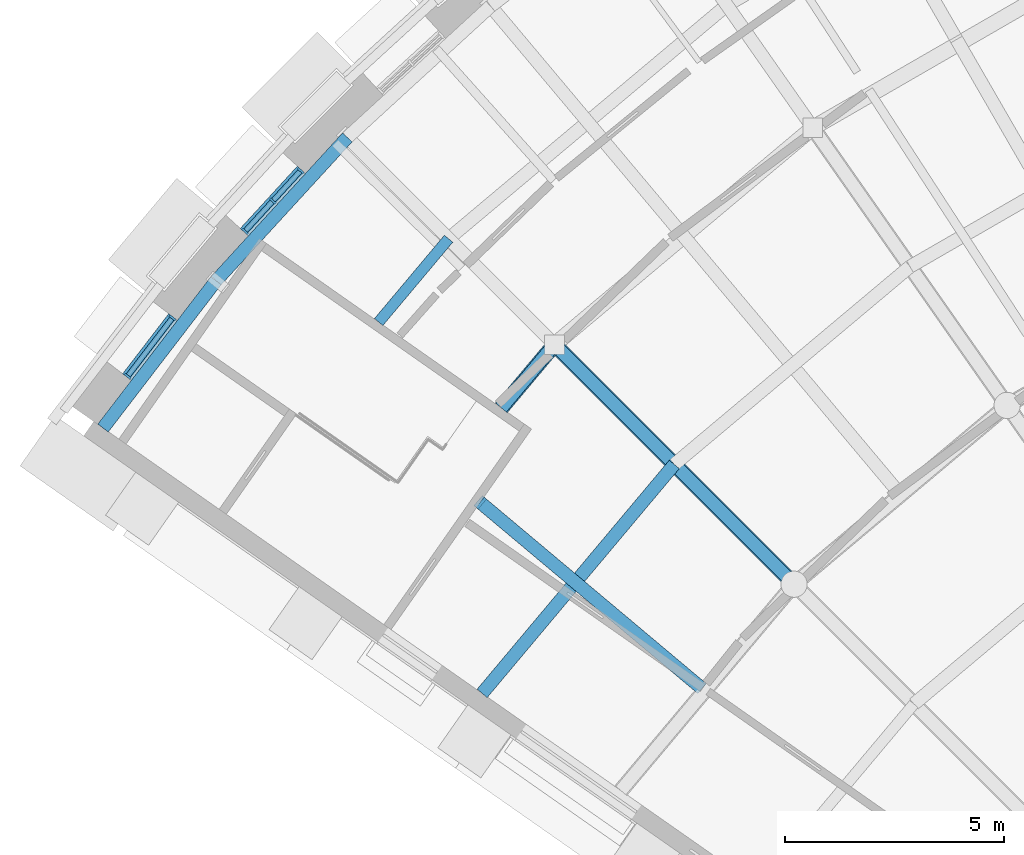
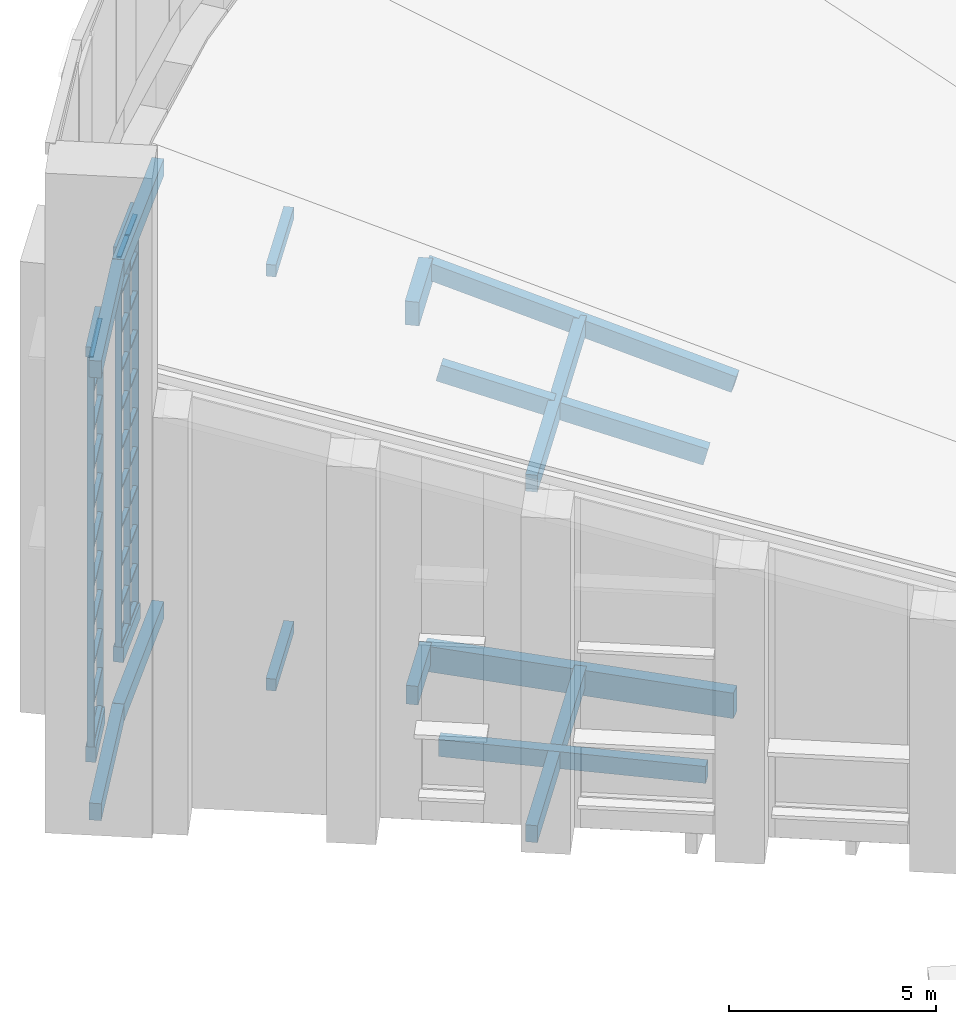
# One storey, part 22 of 82: 38 members, 18 beams, 2 elements without a shape of their own.
"""IFC4 building model written with IfcOpenShell, lengths in metres."""

from ifc_helpers import new_model, si_unit, direction, frame, origin, origin_2d, place, context, subcontext, project, spatial, rectangle, extrude, material, layer, layer_set, material_profile, profile_set, type_object, element, aggregate, save


model = new_model("IFC4")

# Units and contexts
model_context = context("Model", 3, precision=1e-05, world=origin(), true_north=direction((0.0, 1.0)))
body_context = subcontext(model_context, "Body", "Model", "MODEL_VIEW")
ifc_project = project(units=[si_unit("LENGTHUNIT", "METRE"), si_unit("AREAUNIT", "SQUARE_METRE"), si_unit("VOLUMEUNIT", "CUBIC_METRE"), si_unit("PLANEANGLEUNIT", "RADIAN"), si_unit("MASSUNIT", "GRAM", prefix="KILO")], contexts=[model_context])

# Site, building, storey
site_placement = place(None, origin())
site = spatial("IfcSite", under=ifc_project, at=site_placement, CompositionType="ELEMENT")
building_placement = place(site_placement, origin())
building = spatial("IfcBuilding", under=site, at=building_placement, Name="Volute Hill Aquarium", CompositionType="ELEMENT")
storey_placement = place(building_placement, frame((0.0, 0.0, 13.800048828125)))
storey = spatial("IfcBuildingStorey", under=building, at=storey_placement, Name="L04", CompositionType="ELEMENT", Elevation=13.800048828125)

# Beams
ifc_material_1 = material(Name="Concrete C35/45", Category="concrete")
ifc_material_profile_1 = material_profile(ifc_material_1, rectangle(XDim=0.300048828125, YDim=0.550048828125, at=origin_2d()), Name="RC beam 300x550")
ifc_profile_set_1 = profile_set([ifc_material_profile_1], Name="Concrete C35/45")
beam_type_1 = type_object("IfcBeamType", Name="Beam 300x550 C35/45", PredefinedType="BEAM", material=ifc_profile_set_1)
beam_1_placement = place(storey_placement, frame((-31.28955078125, 31.28955078125, -0.594970703125), z_axis=(-0.642771154276, -0.766058250547, 0.0), x_axis=(0.766058250547, -0.642771154276, 0.0)))
element("IfcBeam", 1, at=beam_1_placement, inside=storey, type_object=beam_type_1, Name="bm/S6/L04/ring3.31", PredefinedType="BEAM", context=body_context, shape_type="SweptSolid", body=[
    extrude(rectangle(XDim=0.300048828125, YDim=0.550048828125, at=origin_2d()), origin(), (0.0, 0.0, 1.0), 1.89111328125),
])
ifc_material_2 = material(Name="Concrete C35/45", Category="concrete")
ifc_material_profile_2 = material_profile(ifc_material_2, rectangle(XDim=0.35009765625, YDim=0.699951171875, at=origin_2d()), Name="RC beam 350x700")
ifc_profile_set_2 = profile_set([ifc_material_profile_2], Name="Concrete C35/45")
beam_type_2 = type_object("IfcBeamType", Name="Beam 350x700 C35/45", PredefinedType="BEAM", material=ifc_profile_set_2)
beam_2_placement = place(storey_placement, frame((-31.28955078125, 31.28955078125, 10.6689453125), z_axis=(-0.642771154276, -0.766058250547, 0.0), x_axis=(0.766058250547, -0.642771154276, 0.0)))
element("IfcBeam", 2, at=beam_2_placement, inside=storey, type_object=beam_type_2, Name="rb/S6/L04/ring3.31", PredefinedType="BEAM", context=body_context, shape_type="SweptSolid", body=[
    extrude(rectangle(XDim=0.35009765625, YDim=0.699951171875, at=origin_2d()), origin(), (0.0, 0.0, 1.0), 1.89111328125),
])
ifc_material_3 = material(Name="Concrete C35/45", Category="concrete")
ifc_material_profile_3 = material_profile(ifc_material_3, rectangle(XDim=0.35009765625, YDim=0.75, at=origin_2d()), Name="RC beam 350x750")
ifc_profile_set_3 = profile_set([ifc_material_profile_3], Name="Concrete C35/45")
beam_type_3 = type_object("IfcBeamType", Name="Beam 350x750 C35/45", PredefinedType="BEAM", material=ifc_profile_set_3)
beam_3_placement = place(storey_placement, frame((-25.809326171875, 25.809326171875, -0.695068359375), z_axis=(-0.707106781187, 0.707106781187, 0.0), x_axis=(-0.707106781187, -0.707106781187, 0.0)))
element("IfcBeam", 3, at=beam_3_placement, inside=storey, type_object=beam_type_3, Name="bm/S6/L04/rad4.15", PredefinedType="BEAM", context=body_context, shape_type="SweptSolid", body=[
    extrude(rectangle(XDim=0.35009765625, YDim=0.75, at=origin_2d()), origin(), (0.0, 0.0, 1.0), 7.750244140625),
])

# Curtain wall, members
ifc_material_4 = material(Name="Aluminium", Category="aluminium")
ifc_layer_1 = layer(ifc_material_4, 0.25)
ifc_layer_set_1 = layer_set([ifc_layer_1], Name="Curtain wall niche S6 module 967")
curtain_wall_type_1 = type_object("IfcCurtainWallType", Name="Curtain wall niche S6 module 967", PredefinedType="NOTDEFINED", material=ifc_layer_set_1)
curtain_wall_1_placement = place(storey_placement, origin())
curtain_wall_1 = element("IfcCurtainWall", 4, at=curtain_wall_1_placement, inside=storey, type_object=curtain_wall_type_1, Name="Curtain wall CW S6 L04 9", PredefinedType="NOTDEFINED")
ifc_material_5 = material(Name="Aluminium", Category="aluminium")
ifc_material_profile_4 = material_profile(ifc_material_5, rectangle(XDim=0.169921875, YDim=0.050048828125, at=origin_2d()), Name="Curtain wall mullion S6 50x170")
ifc_profile_set_4 = profile_set([ifc_material_profile_4], Name="Aluminium")
member_type_1 = type_object("IfcMemberType", Name="Curtain wall mullion S6 50x170", PredefinedType="MULLION", material=ifc_profile_set_4)
member_1_placement = place(storey_placement, frame((-37.094482421875, 35.268310546875, 0.449951171875), z_axis=(0.0, 0.0, 1.0), x_axis=(0.737284850624, -0.675582007635, 0.0)))
member_1 = element("IfcMember", 5, at=member_1_placement, type_object=member_type_1, Name="CW mullion 1", PredefinedType="MULLION", context=body_context, shape_type="SweptSolid", body=[
    extrude(rectangle(XDim=0.169921875, YDim=0.050048828125, at=origin_2d()), origin(), (0.0, 0.0, 1.0), 11.491455078125),
])
member_2_placement = place(storey_placement, frame((-37.73095703125, 34.573974609375, 0.449951171875), z_axis=(0.0, 0.0, 1.0), x_axis=(0.737284850624, -0.675582007635, 0.0)))
member_2 = element("IfcMember", 6, at=member_2_placement, type_object=member_type_1, Name="CW mullion 2", PredefinedType="MULLION", context=body_context, shape_type="SweptSolid", body=[
    extrude(rectangle(XDim=0.169921875, YDim=0.050048828125, at=origin_2d()), origin(), (0.0, 0.0, 1.0), 11.491455078125),
])
member_3_placement = place(storey_placement, frame((-38.3671875, 33.879638671875, 0.449951171875), z_axis=(0.0, 0.0, 1.0), x_axis=(0.737284850624, -0.675582007635, 0.0)))
member_3 = element("IfcMember", 7, at=member_3_placement, type_object=member_type_1, Name="CW mullion 3", PredefinedType="MULLION", context=body_context, shape_type="SweptSolid", body=[
    extrude(rectangle(XDim=0.169921875, YDim=0.050048828125, at=origin_2d()), origin(), (0.0, 0.0, 1.0), 11.491455078125),
])

ifc_material_6 = material(Name="Aluminium", Category="aluminium")
ifc_layer_2 = layer(ifc_material_6, 0.25)
ifc_layer_set_2 = layer_set([ifc_layer_2], Name="Curtain wall niche S6 module 1734")
curtain_wall_type_2 = type_object("IfcCurtainWallType", Name="Curtain wall niche S6 module 1734", PredefinedType="NOTDEFINED", material=ifc_layer_set_2)
curtain_wall_2_placement = place(storey_placement, origin())
curtain_wall_2 = element("IfcCurtainWall", 8, at=curtain_wall_2_placement, inside=storey, type_object=curtain_wall_type_2, Name="Curtain wall CW S6 L04 10", PredefinedType="NOTDEFINED")
member_4_placement = place(storey_placement, frame((-40.02734375, 31.901123046875, 0.449951171875), z_axis=(0.0, 0.0, 1.0), x_axis=(0.79334910739, -0.608766945394, 0.0)))
member_4 = element("IfcMember", 9, at=member_4_placement, type_object=member_type_1, Name="CW mullion 1", PredefinedType="MULLION", context=body_context, shape_type="SweptSolid", body=[
    extrude(rectangle(XDim=0.169921875, YDim=0.050048828125, at=origin_2d()), origin(), (0.0, 0.0, 1.0), 11.49365234375),
])
member_5_placement = place(storey_placement, frame((-41.052001953125, 30.5654296875, 0.449951171875), z_axis=(0.0, 0.0, 1.0), x_axis=(0.79334910739, -0.608766945394, 0.0)))
member_5 = element("IfcMember", 10, at=member_5_placement, type_object=member_type_1, Name="CW mullion 2", PredefinedType="MULLION", context=body_context, shape_type="SweptSolid", body=[
    extrude(rectangle(XDim=0.169921875, YDim=0.050048828125, at=origin_2d()), origin(), (0.0, 0.0, 1.0), 11.49365234375),
])

# Member
ifc_material_7 = material(Name="Aluminium", Category="aluminium")
ifc_material_profile_5 = material_profile(ifc_material_7, rectangle(XDim=0.1201171875, YDim=0.050048828125, at=origin_2d()), Name="Curtain wall transom S6 50x120")
ifc_profile_set_5 = profile_set([ifc_material_profile_5], Name="Aluminium")
member_type_2 = type_object("IfcMemberType", Name="Curtain wall transom S6 50x120", PredefinedType="USERDEFINED", material=ifc_profile_set_5)
member_6_placement = place(storey_placement, frame((-37.111328125, 35.25, 0.474853515625), z_axis=(-0.675786597894, -0.737097330145, 0.0), x_axis=(0.737097330145, -0.675786597894, 0.0)))
member_6 = element("IfcMember", 11, at=member_6_placement, type_object=member_type_2, Name="CW transom 1.1", ObjectType="TRANSOM", PredefinedType="USERDEFINED", context=body_context, shape_type="SweptSolid", body=[
    extrude(rectangle(XDim=0.1201171875, YDim=0.050048828125, at=origin_2d()), origin(), (0.0, 0.0, 1.0), 0.89208984375),
])

member_7_placement = place(storey_placement, frame((-37.111328125, 35.25, 1.59912109375), z_axis=(-0.675786597894, -0.737097330145, 0.0), x_axis=(0.737097330145, -0.675786597894, 0.0)))
member_7 = element("IfcMember", 12, at=member_7_placement, type_object=member_type_2, Name="CW transom 1.2", ObjectType="TRANSOM", PredefinedType="USERDEFINED", context=body_context, shape_type="SweptSolid", body=[
    extrude(rectangle(XDim=0.1201171875, YDim=0.050048828125, at=origin_2d()), origin(), (0.0, 0.0, 1.0), 0.89208984375),
])

member_8_placement = place(storey_placement, frame((-37.111328125, 35.25, 2.748291015625), z_axis=(-0.675786597894, -0.737097330145, 0.0), x_axis=(0.737097330145, -0.675786597894, 0.0)))
member_8 = element("IfcMember", 13, at=member_8_placement, type_object=member_type_2, Name="CW transom 1.3", ObjectType="TRANSOM", PredefinedType="USERDEFINED", context=body_context, shape_type="SweptSolid", body=[
    extrude(rectangle(XDim=0.1201171875, YDim=0.050048828125, at=origin_2d()), origin(), (0.0, 0.0, 1.0), 0.89208984375),
])

member_9_placement = place(storey_placement, frame((-37.111328125, 35.25, 3.8974609375), z_axis=(-0.675786597894, -0.737097330145, 0.0), x_axis=(0.737097330145, -0.675786597894, 0.0)))
member_9 = element("IfcMember", 14, at=member_9_placement, type_object=member_type_2, Name="CW transom 1.4", ObjectType="TRANSOM", PredefinedType="USERDEFINED", context=body_context, shape_type="SweptSolid", body=[
    extrude(rectangle(XDim=0.1201171875, YDim=0.050048828125, at=origin_2d()), origin(), (0.0, 0.0, 1.0), 0.89208984375),
])

member_10_placement = place(storey_placement, frame((-37.111328125, 35.25, 5.046630859375), z_axis=(-0.675786597894, -0.737097330145, 0.0), x_axis=(0.737097330145, -0.675786597894, 0.0)))
member_10 = element("IfcMember", 15, at=member_10_placement, type_object=member_type_2, Name="CW transom 1.5", ObjectType="TRANSOM", PredefinedType="USERDEFINED", context=body_context, shape_type="SweptSolid", body=[
    extrude(rectangle(XDim=0.1201171875, YDim=0.050048828125, at=origin_2d()), origin(), (0.0, 0.0, 1.0), 0.89208984375),
])

member_11_placement = place(storey_placement, frame((-37.111328125, 35.25, 6.195556640625), z_axis=(-0.675786597894, -0.737097330145, 0.0), x_axis=(0.737097330145, -0.675786597894, 0.0)))
member_11 = element("IfcMember", 16, at=member_11_placement, type_object=member_type_2, Name="CW transom 1.6", ObjectType="TRANSOM", PredefinedType="USERDEFINED", context=body_context, shape_type="SweptSolid", body=[
    extrude(rectangle(XDim=0.1201171875, YDim=0.050048828125, at=origin_2d()), origin(), (0.0, 0.0, 1.0), 0.89208984375),
])

member_12_placement = place(storey_placement, frame((-37.111328125, 35.25, 7.3447265625), z_axis=(-0.675786597894, -0.737097330145, 0.0), x_axis=(0.737097330145, -0.675786597894, 0.0)))
member_12 = element("IfcMember", 17, at=member_12_placement, type_object=member_type_2, Name="CW transom 1.7", ObjectType="TRANSOM", PredefinedType="USERDEFINED", context=body_context, shape_type="SweptSolid", body=[
    extrude(rectangle(XDim=0.1201171875, YDim=0.050048828125, at=origin_2d()), origin(), (0.0, 0.0, 1.0), 0.89208984375),
])

member_13_placement = place(storey_placement, frame((-37.111328125, 35.25, 8.493896484375), z_axis=(-0.675786597894, -0.737097330145, 0.0), x_axis=(0.737097330145, -0.675786597894, 0.0)))
member_13 = element("IfcMember", 18, at=member_13_placement, type_object=member_type_2, Name="CW transom 1.8", ObjectType="TRANSOM", PredefinedType="USERDEFINED", context=body_context, shape_type="SweptSolid", body=[
    extrude(rectangle(XDim=0.1201171875, YDim=0.050048828125, at=origin_2d()), origin(), (0.0, 0.0, 1.0), 0.89208984375),
])

member_14_placement = place(storey_placement, frame((-37.111328125, 35.25, 9.64306640625), z_axis=(-0.675786597894, -0.737097330145, 0.0), x_axis=(0.737097330145, -0.675786597894, 0.0)))
member_14 = element("IfcMember", 19, at=member_14_placement, type_object=member_type_2, Name="CW transom 1.9", ObjectType="TRANSOM", PredefinedType="USERDEFINED", context=body_context, shape_type="SweptSolid", body=[
    extrude(rectangle(XDim=0.1201171875, YDim=0.050048828125, at=origin_2d()), origin(), (0.0, 0.0, 1.0), 0.89208984375),
])

member_15_placement = place(storey_placement, frame((-37.111328125, 35.25, 10.792236328125), z_axis=(-0.675786597894, -0.737097330145, 0.0), x_axis=(0.737097330145, -0.675786597894, 0.0)))
member_15 = element("IfcMember", 20, at=member_15_placement, type_object=member_type_2, Name="CW transom 1.10", ObjectType="TRANSOM", PredefinedType="USERDEFINED", context=body_context, shape_type="SweptSolid", body=[
    extrude(rectangle(XDim=0.1201171875, YDim=0.050048828125, at=origin_2d()), origin(), (0.0, 0.0, 1.0), 0.89208984375),
])

member_16_placement = place(storey_placement, frame((-37.111328125, 35.25, 11.916259765625), z_axis=(-0.675786597894, -0.737097330145, 0.0), x_axis=(0.737097330145, -0.675786597894, 0.0)))
member_16 = element("IfcMember", 21, at=member_16_placement, type_object=member_type_2, Name="CW transom 1.11", ObjectType="TRANSOM", PredefinedType="USERDEFINED", context=body_context, shape_type="SweptSolid", body=[
    extrude(rectangle(XDim=0.1201171875, YDim=0.050048828125, at=origin_2d()), origin(), (0.0, 0.0, 1.0), 0.89208984375),
])

member_17_placement = place(storey_placement, frame((-37.747802734375, 34.5556640625, 0.474853515625), z_axis=(-0.67550150298, -0.737358609817, 0.0), x_axis=(0.737358609817, -0.67550150298, 0.0)))
member_17 = element("IfcMember", 22, at=member_17_placement, type_object=member_type_2, Name="CW transom 2.1", ObjectType="TRANSOM", PredefinedType="USERDEFINED", context=body_context, shape_type="SweptSolid", body=[
    extrude(rectangle(XDim=0.1201171875, YDim=0.050048828125, at=origin_2d()), origin(), (0.0, 0.0, 1.0), 0.89208984375),
])

member_18_placement = place(storey_placement, frame((-37.747802734375, 34.5556640625, 1.59912109375), z_axis=(-0.67550150298, -0.737358609817, 0.0), x_axis=(0.737358609817, -0.67550150298, 0.0)))
member_18 = element("IfcMember", 23, at=member_18_placement, type_object=member_type_2, Name="CW transom 2.2", ObjectType="TRANSOM", PredefinedType="USERDEFINED", context=body_context, shape_type="SweptSolid", body=[
    extrude(rectangle(XDim=0.1201171875, YDim=0.050048828125, at=origin_2d()), origin(), (0.0, 0.0, 1.0), 0.89208984375),
])

member_19_placement = place(storey_placement, frame((-37.747802734375, 34.5556640625, 2.748291015625), z_axis=(-0.67550150298, -0.737358609817, 0.0), x_axis=(0.737358609817, -0.67550150298, 0.0)))
member_19 = element("IfcMember", 24, at=member_19_placement, type_object=member_type_2, Name="CW transom 2.3", ObjectType="TRANSOM", PredefinedType="USERDEFINED", context=body_context, shape_type="SweptSolid", body=[
    extrude(rectangle(XDim=0.1201171875, YDim=0.050048828125, at=origin_2d()), origin(), (0.0, 0.0, 1.0), 0.89208984375),
])

member_20_placement = place(storey_placement, frame((-37.747802734375, 34.5556640625, 3.8974609375), z_axis=(-0.67550150298, -0.737358609817, 0.0), x_axis=(0.737358609817, -0.67550150298, 0.0)))
member_20 = element("IfcMember", 25, at=member_20_placement, type_object=member_type_2, Name="CW transom 2.4", ObjectType="TRANSOM", PredefinedType="USERDEFINED", context=body_context, shape_type="SweptSolid", body=[
    extrude(rectangle(XDim=0.1201171875, YDim=0.050048828125, at=origin_2d()), origin(), (0.0, 0.0, 1.0), 0.89208984375),
])

member_21_placement = place(storey_placement, frame((-37.747802734375, 34.5556640625, 5.046630859375), z_axis=(-0.67550150298, -0.737358609817, 0.0), x_axis=(0.737358609817, -0.67550150298, 0.0)))
member_21 = element("IfcMember", 26, at=member_21_placement, type_object=member_type_2, Name="CW transom 2.5", ObjectType="TRANSOM", PredefinedType="USERDEFINED", context=body_context, shape_type="SweptSolid", body=[
    extrude(rectangle(XDim=0.1201171875, YDim=0.050048828125, at=origin_2d()), origin(), (0.0, 0.0, 1.0), 0.89208984375),
])

member_22_placement = place(storey_placement, frame((-37.747802734375, 34.5556640625, 6.195556640625), z_axis=(-0.67550150298, -0.737358609817, 0.0), x_axis=(0.737358609817, -0.67550150298, 0.0)))
member_22 = element("IfcMember", 27, at=member_22_placement, type_object=member_type_2, Name="CW transom 2.6", ObjectType="TRANSOM", PredefinedType="USERDEFINED", context=body_context, shape_type="SweptSolid", body=[
    extrude(rectangle(XDim=0.1201171875, YDim=0.050048828125, at=origin_2d()), origin(), (0.0, 0.0, 1.0), 0.89208984375),
])

member_23_placement = place(storey_placement, frame((-37.747802734375, 34.5556640625, 7.3447265625), z_axis=(-0.67550150298, -0.737358609817, 0.0), x_axis=(0.737358609817, -0.67550150298, 0.0)))
member_23 = element("IfcMember", 28, at=member_23_placement, type_object=member_type_2, Name="CW transom 2.7", ObjectType="TRANSOM", PredefinedType="USERDEFINED", context=body_context, shape_type="SweptSolid", body=[
    extrude(rectangle(XDim=0.1201171875, YDim=0.050048828125, at=origin_2d()), origin(), (0.0, 0.0, 1.0), 0.89208984375),
])

member_24_placement = place(storey_placement, frame((-37.747802734375, 34.5556640625, 8.493896484375), z_axis=(-0.67550150298, -0.737358609817, 0.0), x_axis=(0.737358609817, -0.67550150298, 0.0)))
member_24 = element("IfcMember", 29, at=member_24_placement, type_object=member_type_2, Name="CW transom 2.8", ObjectType="TRANSOM", PredefinedType="USERDEFINED", context=body_context, shape_type="SweptSolid", body=[
    extrude(rectangle(XDim=0.1201171875, YDim=0.050048828125, at=origin_2d()), origin(), (0.0, 0.0, 1.0), 0.89208984375),
])

member_25_placement = place(storey_placement, frame((-37.747802734375, 34.5556640625, 9.64306640625), z_axis=(-0.67550150298, -0.737358609817, 0.0), x_axis=(0.737358609817, -0.67550150298, 0.0)))
member_25 = element("IfcMember", 30, at=member_25_placement, type_object=member_type_2, Name="CW transom 2.9", ObjectType="TRANSOM", PredefinedType="USERDEFINED", context=body_context, shape_type="SweptSolid", body=[
    extrude(rectangle(XDim=0.1201171875, YDim=0.050048828125, at=origin_2d()), origin(), (0.0, 0.0, 1.0), 0.89208984375),
])

member_26_placement = place(storey_placement, frame((-37.747802734375, 34.5556640625, 10.792236328125), z_axis=(-0.67550150298, -0.737358609817, 0.0), x_axis=(0.737358609817, -0.67550150298, 0.0)))
member_26 = element("IfcMember", 31, at=member_26_placement, type_object=member_type_2, Name="CW transom 2.10", ObjectType="TRANSOM", PredefinedType="USERDEFINED", context=body_context, shape_type="SweptSolid", body=[
    extrude(rectangle(XDim=0.1201171875, YDim=0.050048828125, at=origin_2d()), origin(), (0.0, 0.0, 1.0), 0.89208984375),
])

member_27_placement = place(storey_placement, frame((-37.747802734375, 34.5556640625, 11.916259765625), z_axis=(-0.67550150298, -0.737358609817, 0.0), x_axis=(0.737358609817, -0.67550150298, 0.0)))
member_27 = element("IfcMember", 32, at=member_27_placement, type_object=member_type_2, Name="CW transom 2.11", ObjectType="TRANSOM", PredefinedType="USERDEFINED", context=body_context, shape_type="SweptSolid", body=[
    extrude(rectangle(XDim=0.1201171875, YDim=0.050048828125, at=origin_2d()), origin(), (0.0, 0.0, 1.0), 0.89208984375),
])

aggregate(curtain_wall_1, [member_1, member_2, member_3, member_6, member_7, member_8, member_9, member_10, member_11, member_12, member_13, member_14, member_15, member_16, member_17, member_18, member_19, member_20, member_21, member_22, member_23, member_24, member_25, member_26, member_27])

member_28_placement = place(storey_placement, frame((-40.04248046875, 31.88134765625, 0.474853515625), z_axis=(-0.608764095787, -0.793351293993, 0.0), x_axis=(0.793351293993, -0.608764095787, 0.0)))
member_28 = element("IfcMember", 33, at=member_28_placement, type_object=member_type_2, Name="CW transom 1.1", ObjectType="TRANSOM", PredefinedType="USERDEFINED", context=body_context, shape_type="SweptSolid", body=[
    extrude(rectangle(XDim=0.1201171875, YDim=0.050048828125, at=origin_2d()), origin(), (0.0, 0.0, 1.0), 1.633544921875),
])

member_29_placement = place(storey_placement, frame((-40.04248046875, 31.88134765625, 1.599365234375), z_axis=(-0.608764095787, -0.793351293993, 0.0), x_axis=(0.793351293993, -0.608764095787, 0.0)))
member_29 = element("IfcMember", 34, at=member_29_placement, type_object=member_type_2, Name="CW transom 1.2", ObjectType="TRANSOM", PredefinedType="USERDEFINED", context=body_context, shape_type="SweptSolid", body=[
    extrude(rectangle(XDim=0.1201171875, YDim=0.050048828125, at=origin_2d()), origin(), (0.0, 0.0, 1.0), 1.633544921875),
])

member_30_placement = place(storey_placement, frame((-40.04248046875, 31.88134765625, 2.748779296875), z_axis=(-0.608764095787, -0.793351293993, 0.0), x_axis=(0.793351293993, -0.608764095787, 0.0)))
member_30 = element("IfcMember", 35, at=member_30_placement, type_object=member_type_2, Name="CW transom 1.3", ObjectType="TRANSOM", PredefinedType="USERDEFINED", context=body_context, shape_type="SweptSolid", body=[
    extrude(rectangle(XDim=0.1201171875, YDim=0.050048828125, at=origin_2d()), origin(), (0.0, 0.0, 1.0), 1.633544921875),
])

member_31_placement = place(storey_placement, frame((-40.04248046875, 31.88134765625, 3.89794921875), z_axis=(-0.608764095787, -0.793351293993, 0.0), x_axis=(0.793351293993, -0.608764095787, 0.0)))
member_31 = element("IfcMember", 36, at=member_31_placement, type_object=member_type_2, Name="CW transom 1.4", ObjectType="TRANSOM", PredefinedType="USERDEFINED", context=body_context, shape_type="SweptSolid", body=[
    extrude(rectangle(XDim=0.1201171875, YDim=0.050048828125, at=origin_2d()), origin(), (0.0, 0.0, 1.0), 1.633544921875),
])

member_32_placement = place(storey_placement, frame((-40.04248046875, 31.88134765625, 5.04736328125), z_axis=(-0.608764095787, -0.793351293993, 0.0), x_axis=(0.793351293993, -0.608764095787, 0.0)))
member_32 = element("IfcMember", 37, at=member_32_placement, type_object=member_type_2, Name="CW transom 1.5", ObjectType="TRANSOM", PredefinedType="USERDEFINED", context=body_context, shape_type="SweptSolid", body=[
    extrude(rectangle(XDim=0.1201171875, YDim=0.050048828125, at=origin_2d()), origin(), (0.0, 0.0, 1.0), 1.633544921875),
])

member_33_placement = place(storey_placement, frame((-40.04248046875, 31.88134765625, 6.19677734375), z_axis=(-0.608764095787, -0.793351293993, 0.0), x_axis=(0.793351293993, -0.608764095787, 0.0)))
member_33 = element("IfcMember", 38, at=member_33_placement, type_object=member_type_2, Name="CW transom 1.6", ObjectType="TRANSOM", PredefinedType="USERDEFINED", context=body_context, shape_type="SweptSolid", body=[
    extrude(rectangle(XDim=0.1201171875, YDim=0.050048828125, at=origin_2d()), origin(), (0.0, 0.0, 1.0), 1.633544921875),
])

member_34_placement = place(storey_placement, frame((-40.04248046875, 31.88134765625, 7.34619140625), z_axis=(-0.608764095787, -0.793351293993, 0.0), x_axis=(0.793351293993, -0.608764095787, 0.0)))
member_34 = element("IfcMember", 39, at=member_34_placement, type_object=member_type_2, Name="CW transom 1.7", ObjectType="TRANSOM", PredefinedType="USERDEFINED", context=body_context, shape_type="SweptSolid", body=[
    extrude(rectangle(XDim=0.1201171875, YDim=0.050048828125, at=origin_2d()), origin(), (0.0, 0.0, 1.0), 1.633544921875),
])

member_35_placement = place(storey_placement, frame((-40.04248046875, 31.88134765625, 8.495361328125), z_axis=(-0.608764095787, -0.793351293993, 0.0), x_axis=(0.793351293993, -0.608764095787, 0.0)))
member_35 = element("IfcMember", 40, at=member_35_placement, type_object=member_type_2, Name="CW transom 1.8", ObjectType="TRANSOM", PredefinedType="USERDEFINED", context=body_context, shape_type="SweptSolid", body=[
    extrude(rectangle(XDim=0.1201171875, YDim=0.050048828125, at=origin_2d()), origin(), (0.0, 0.0, 1.0), 1.633544921875),
])

member_36_placement = place(storey_placement, frame((-40.04248046875, 31.88134765625, 9.644775390625), z_axis=(-0.608764095787, -0.793351293993, 0.0), x_axis=(0.793351293993, -0.608764095787, 0.0)))
member_36 = element("IfcMember", 41, at=member_36_placement, type_object=member_type_2, Name="CW transom 1.9", ObjectType="TRANSOM", PredefinedType="USERDEFINED", context=body_context, shape_type="SweptSolid", body=[
    extrude(rectangle(XDim=0.1201171875, YDim=0.050048828125, at=origin_2d()), origin(), (0.0, 0.0, 1.0), 1.633544921875),
])

member_37_placement = place(storey_placement, frame((-40.04248046875, 31.88134765625, 10.794189453125), z_axis=(-0.608764095787, -0.793351293993, 0.0), x_axis=(0.793351293993, -0.608764095787, 0.0)))
member_37 = element("IfcMember", 42, at=member_37_placement, type_object=member_type_2, Name="CW transom 1.10", ObjectType="TRANSOM", PredefinedType="USERDEFINED", context=body_context, shape_type="SweptSolid", body=[
    extrude(rectangle(XDim=0.1201171875, YDim=0.050048828125, at=origin_2d()), origin(), (0.0, 0.0, 1.0), 1.633544921875),
])

member_38_placement = place(storey_placement, frame((-40.04248046875, 31.88134765625, 11.91845703125), z_axis=(-0.608764095787, -0.793351293993, 0.0), x_axis=(0.793351293993, -0.608764095787, 0.0)))
member_38 = element("IfcMember", 43, at=member_38_placement, type_object=member_type_2, Name="CW transom 1.11", ObjectType="TRANSOM", PredefinedType="USERDEFINED", context=body_context, shape_type="SweptSolid", body=[
    extrude(rectangle(XDim=0.1201171875, YDim=0.050048828125, at=origin_2d()), origin(), (0.0, 0.0, 1.0), 1.633544921875),
])

aggregate(curtain_wall_2, [member_4, member_5, member_28, member_29, member_30, member_31, member_32, member_33, member_34, member_35, member_36, member_37, member_38])

# Beams
ifc_material_8 = material(Name="Concrete C35/45", Category="concrete")
ifc_material_profile_6 = material_profile(ifc_material_8, rectangle(XDim=0.300048828125, YDim=0.5, at=origin_2d()), Name="RC edge beam 300x500")
ifc_profile_set_6 = profile_set([ifc_material_profile_6], Name="Concrete C35/45")
beam_type_4 = type_object("IfcBeamType", Name="Edge beam 300x500 C35/45", PredefinedType="BEAM", material=ifc_profile_set_6)
beam_4_placement = place(storey_placement, frame((-36.027099609375, 36.027099609375, -0.570068359375), z_axis=(-0.675562936568, -0.737302325193, 0.0), x_axis=(0.737302325193, -0.675562936568, 0.0)))
element("IfcBeam", 44, at=beam_4_placement, inside=storey, type_object=beam_type_4, Name="bm/S6/L04/edgeO.50", PredefinedType="BEAM", context=body_context, shape_type="SweptSolid", body=[
    extrude(rectangle(XDim=0.300048828125, YDim=0.5, at=origin_2d()), origin(), (0.0, 0.0, 1.0), 4.44482421875),
])
beam_5_placement = place(storey_placement, frame((-39.02978515625, 32.75, -0.570068359375), z_axis=(-0.60877080013, -0.793346149489, 0.0), x_axis=(0.793346149489, -0.60877080013, 0.0)))
element("IfcBeam", 45, at=beam_5_placement, inside=storey, type_object=beam_type_4, Name="bm/S6/L04/edgeO.51", PredefinedType="BEAM", context=body_context, shape_type="SweptSolid", body=[
    extrude(rectangle(XDim=0.300048828125, YDim=0.5, at=origin_2d()), origin(), (0.0, 0.0, 1.0), 4.24462890625),
])
beam_6_placement = place(storey_placement, frame((-36.027099609375, 36.027099609375, 12.491455078125), z_axis=(-0.675520528617, -0.737256041599, 0.011204666057), x_axis=(0.737302325193, -0.675562936568, 0.0)))
element("IfcBeam", 46, at=beam_6_placement, inside=storey, type_object=beam_type_4, Name="rb/S6/L04/edgeO.50", PredefinedType="BEAM", context=body_context, shape_type="SweptSolid", body=[
    extrude(rectangle(XDim=0.300048828125, YDim=0.5, at=origin_2d()), origin(), (0.0, 0.0, 1.0), 4.445068359375),
])
beam_7_placement = place(storey_placement, frame((-39.02978515625, 32.75, 12.541259765625), z_axis=(-0.608732512364, -0.793296253121, -0.011215309893), x_axis=(0.793346149489, -0.60877080013, 0.0)))
element("IfcBeam", 47, at=beam_7_placement, inside=storey, type_object=beam_type_4, Name="rb/S6/L04/edgeO.51", PredefinedType="BEAM", context=body_context, shape_type="SweptSolid", body=[
    extrude(rectangle(XDim=0.300048828125, YDim=0.5, at=origin_2d()), origin(), (0.0, 0.0, 1.0), 4.244873046875),
])
ifc_material_9 = material(Name="Concrete C35/45", Category="concrete")
ifc_material_profile_7 = material_profile(ifc_material_9, rectangle(XDim=0.25, YDim=0.35009765625, at=origin_2d()), Name="RC joist 250x350")
ifc_profile_set_7 = profile_set([ifc_material_profile_7], Name="Concrete C35/45")
beam_type_5 = type_object("IfcBeamType", Name="Joist 250x350 C35/45", PredefinedType="BEAM", material=ifc_profile_set_7)
for number, where, z_axis, x_axis, name in (
    (48, (-33.711181640625, 33.711181640625, -0.4951171875), (-0.642902089518, -0.765948368556, 0.0), (0.765948368556, -0.642902089518, 0.0), "bm/S6/L04/jst20"),
    (49, (-33.711181640625, 33.711181640625, 11.724365234375), (-0.642902089518, -0.765948368556, 0.0), (0.765948368556, -0.642902089518, 0.0), "rb/S6/L04/jst20"),
):
    element("IfcBeam", number, at=place(storey_placement, frame(where, z_axis=z_axis, x_axis=x_axis)), inside=storey, type_object=beam_type_5, Name=name, PredefinedType="BEAM", context=body_context, shape_type="SweptSolid", body=[
        extrude(rectangle(XDim=0.25, YDim=0.35009765625, at=origin_2d()), origin(), (0.0, 0.0, 1.0), 2.488037109375),
    ])
ifc_material_10 = material(Name="Concrete C35/45", Category="concrete")
ifc_material_profile_8 = material_profile(ifc_material_10, rectangle(XDim=0.300048828125, YDim=0.5, at=origin_2d()), Name="RC joist 300x500")
ifc_profile_set_8 = profile_set([ifc_material_profile_8], Name="Concrete C35/45")
beam_type_6 = type_object("IfcBeamType", Name="Joist 300x500 C35/45", PredefinedType="BEAM", material=ifc_profile_set_8)
beam_8_placement = place(storey_placement, frame((-28.54931640625, 28.54931640625, -0.570068359375), z_axis=(-0.642800909983, -0.766033282648, 0.0), x_axis=(0.766033282648, -0.642800909983, 0.0)))
element("IfcBeam", 50, at=beam_8_placement, inside=storey, type_object=beam_type_6, Name="bm/S6/L04/jst15", PredefinedType="BEAM", context=body_context, shape_type="SweptSolid", body=[
    extrude(rectangle(XDim=0.300048828125, YDim=0.5, at=origin_2d()), origin(), (0.0, 0.0, 1.0), 6.8369140625),
])
beam_9_placement = place(storey_placement, frame((-27.960693359375, 23.461669921875, -0.570068359375), z_axis=(-0.766030833177, 0.642803829035, 0.0), x_axis=(-0.642803829035, -0.766030833177, 0.0)))
element("IfcBeam", 51, at=beam_9_placement, inside=storey, type_object=beam_type_6, Name="bm/S6/L04/rjst5", PredefinedType="BEAM", context=body_context, shape_type="SweptSolid", body=[
    extrude(rectangle(XDim=0.300048828125, YDim=0.5, at=origin_2d()), origin(), (0.0, 0.0, 1.0), 6.563720703125),
])
beam_10_placement = place(storey_placement, frame((-28.54931640625, 28.54931640625, 9.772705078125), z_axis=(-0.642800909983, -0.766033282648, 0.0), x_axis=(0.766033282648, -0.642800909983, 0.0)))
element("IfcBeam", 52, at=beam_10_placement, inside=storey, type_object=beam_type_6, Name="rb/S6/L04/jst15", PredefinedType="BEAM", context=body_context, shape_type="SweptSolid", body=[
    extrude(rectangle(XDim=0.300048828125, YDim=0.5, at=origin_2d()), origin(), (0.0, 0.0, 1.0), 6.8369140625),
])
beam_11_placement = place(storey_placement, frame((-27.960693359375, 23.461669921875, 8.80419921875), z_axis=(-0.741731302706, 0.622413225218, 0.249872870997), x_axis=(-0.642803829035, -0.766030833177, 0.0)))
element("IfcBeam", 53, at=beam_11_placement, inside=storey, type_object=beam_type_6, Name="rb/S6/L04/rjst5", PredefinedType="BEAM", context=body_context, shape_type="SweptSolid", body=[
    extrude(rectangle(XDim=0.300048828125, YDim=0.5, at=origin_2d()), origin(), (0.0, 0.0, 1.0), 6.77880859375),
])
ifc_material_11 = material(Name="Concrete C35/45", Category="concrete")
ifc_material_profile_9 = material_profile(ifc_material_11, rectangle(XDim=0.25, YDim=0.300048828125, at=origin_2d()), Name="RC beam 250x300")
ifc_profile_set_9 = profile_set([ifc_material_profile_9], Name="Concrete C35/45")
beam_type_7 = type_object("IfcBeamType", Name="Niche head beam RC 250x300 C35/45", PredefinedType="BEAM", material=ifc_profile_set_9)
beam_12_placement = place(storey_placement, frame((-37.07763671875, 35.286865234375, 12.09130859375), z_axis=(-0.675564536927, -0.73730085884, 0.0), x_axis=(0.73730085884, -0.675564536927, 0.0)))
element("IfcBeam", 54, at=beam_12_placement, inside=storey, type_object=beam_type_7, Name="Niche head beam OWB S6 L04 9", PredefinedType="BEAM", context=body_context, shape_type="SweptSolid", body=[
    extrude(rectangle(XDim=0.25, YDim=0.300048828125, at=origin_2d()), origin(), (0.0, 0.0, 1.0), 1.933837890625),
])
beam_13_placement = place(storey_placement, frame((-40.011962890625, 31.9208984375, 12.093505859375), z_axis=(-0.608818785139, -0.79330932609, 0.0), x_axis=(0.79330932609, -0.608818785139, 0.0)))
element("IfcBeam", 55, at=beam_13_placement, inside=storey, type_object=beam_type_7, Name="Niche head beam OWB S6 L04 10", PredefinedType="BEAM", context=body_context, shape_type="SweptSolid", body=[
    extrude(rectangle(XDim=0.25, YDim=0.300048828125, at=origin_2d()), origin(), (0.0, 0.0, 1.0), 1.733642578125),
])
ifc_material_12 = material(Name="Concrete C35/45", Category="concrete")
ifc_material_profile_10 = material_profile(ifc_material_12, rectangle(XDim=0.25, YDim=0.449951171875, at=origin_2d()), Name="RC beam 250x450")
ifc_profile_set_10 = profile_set([ifc_material_profile_10], Name="Concrete C35/45")
beam_type_8 = type_object("IfcBeamType", Name="Niche sill beam RC 250x450 C35/45", PredefinedType="BEAM", material=ifc_profile_set_10)
beam_14_placement = place(storey_placement, frame((-37.07763671875, 35.286865234375, 0.224853515625), z_axis=(-0.675564536927, -0.73730085884, 0.0), x_axis=(0.73730085884, -0.675564536927, 0.0)))
element("IfcBeam", 56, at=beam_14_placement, inside=storey, type_object=beam_type_8, Name="Niche sill beam OWB S6 L04 9", PredefinedType="BEAM", context=body_context, shape_type="SweptSolid", body=[
    extrude(rectangle(XDim=0.25, YDim=0.449951171875, at=origin_2d()), origin(), (0.0, 0.0, 1.0), 1.933837890625),
])
beam_15_placement = place(storey_placement, frame((-40.011962890625, 31.9208984375, 0.224853515625), z_axis=(-0.608818785139, -0.79330932609, 0.0), x_axis=(0.79330932609, -0.608818785139, 0.0)))
element("IfcBeam", 57, at=beam_15_placement, inside=storey, type_object=beam_type_8, Name="Niche sill beam OWB S6 L04 10", PredefinedType="BEAM", context=body_context, shape_type="SweptSolid", body=[
    extrude(rectangle(XDim=0.25, YDim=0.449951171875, at=origin_2d()), origin(), (0.0, 0.0, 1.0), 1.733642578125),
])
ifc_material_13 = material(Name="Concrete C35/45", Category="concrete")
ifc_material_profile_11 = material_profile(ifc_material_13, rectangle(XDim=0.300048828125, YDim=0.5, at=origin_2d()), Name="RC rib 300x500")
ifc_profile_set_11 = profile_set([ifc_material_profile_11], Name="Concrete C35/45")
beam_type_9 = type_object("IfcBeamType", Name="Roof rib 300x500 C35/45", PredefinedType="BEAM", material=ifc_profile_set_11)
beam_16_placement = place(storey_placement, frame((-25.809326171875, 25.809326171875, 8.7685546875), z_axis=(-0.684843329432, 0.684843329432, 0.248956277817), x_axis=(-0.707106781187, -0.707106781187, 0.0)))
element("IfcBeam", 58, at=beam_16_placement, inside=storey, type_object=beam_type_9, Name="rb/S6/L04/rib4.15", PredefinedType="BEAM", context=body_context, shape_type="SweptSolid", body=[
    extrude(rectangle(XDim=0.300048828125, YDim=0.5, at=origin_2d()), origin(), (0.0, 0.0, 1.0), 8.002197265625),
])

save(model, "model.ifc")
